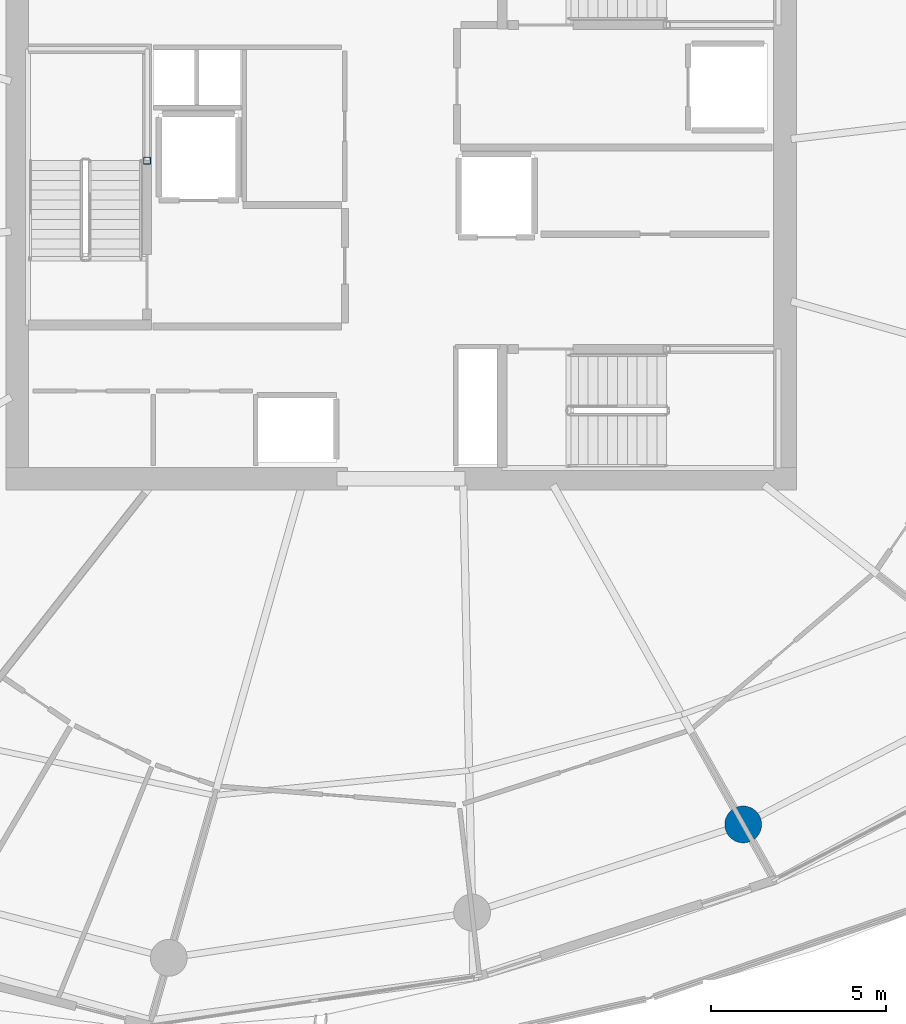
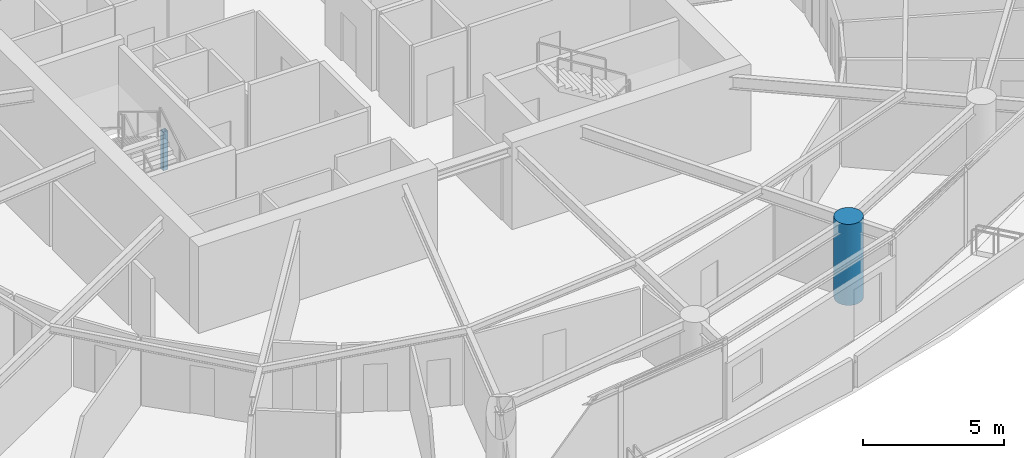
# One storey, part 2 of 20: 2 columns.
"""IFC4 building model written with IfcOpenShell, lengths in metres."""

from ifc_helpers import new_model, si_unit, direction, frame, origin, origin_2d, place, context, subcontext, project, spatial, hollow_rectangle, circle, extrude, material, material_profile, profile_set, type_object, element, save


model = new_model("IFC4")

# Units and contexts
model_context = context("Model", 3, precision=1e-05, world=origin(), true_north=direction((0.0, 1.0)))
body_context = subcontext(model_context, "Body", "Model", "MODEL_VIEW")
ifc_project = project(units=[si_unit("LENGTHUNIT", "METRE"), si_unit("AREAUNIT", "SQUARE_METRE"), si_unit("VOLUMEUNIT", "CUBIC_METRE"), si_unit("PLANEANGLEUNIT", "RADIAN"), si_unit("MASSUNIT", "GRAM", prefix="KILO")], contexts=[model_context])

# Site, building, storey
site_placement = place(None, origin())
site = spatial("IfcSite", under=ifc_project, at=site_placement, CompositionType="ELEMENT")
building_placement = place(site_placement, origin())
building = spatial("IfcBuilding", under=site, at=building_placement, Name="Kazma Halo Residences", CompositionType="ELEMENT")
storey_placement = place(building_placement, frame((0.0, 0.0, 217.800048828125)))
storey = spatial("IfcBuildingStorey", under=building, at=storey_placement, Name="L55", CompositionType="ELEMENT", Elevation=217.800048828125)

# Columns
ifc_material_1 = material(Name="Steel S355", Category="steel")
ifc_material_profile_1 = material_profile(ifc_material_1, hollow_rectangle(XDim=0.199951171875, YDim=0.199951171875, WallThickness=0.010009765625, InnerFilletRadius=0.010009765625, OuterFilletRadius=0.02001953125, at=origin_2d()), Name="SHS200x200x10")
ifc_profile_set_1 = profile_set([ifc_material_profile_1], Name="Steel S355")
column_type_1 = type_object("IfcColumnType", Name="COL-LP-SHS200", PredefinedType="COLUMN", material=ifc_profile_set_1)
column_1_placement = place(storey_placement, frame((41.179931640625, 42.75, 0.0), z_axis=(0.0, 0.0, 1.0), x_axis=(1.0, 0.0, 0.0)))
element("IfcColumn", 1, at=column_1_placement, inside=storey, type_object=column_type_1, Name="L55 ST-01 landing pilaster 1", PredefinedType="COLUMN", context=body_context, shape_type="SweptSolid", body=[
    extrude(hollow_rectangle(XDim=0.199951171875, YDim=0.199951171875, WallThickness=0.010009765625, InnerFilletRadius=0.010009765625, OuterFilletRadius=0.02001953125, at=origin_2d()), origin(), (0.0, 0.0, 1.0), 1.669921875),
])
ifc_material_2 = material(Name="Concrete C80/95", Category="concrete")
ifc_material_profile_2 = material_profile(ifc_material_2, circle(Radius=0.52490234375, at=origin_2d()), Name="CIRC1050")
ifc_profile_set_2 = profile_set([ifc_material_profile_2], Name="Concrete C80/95")
column_type_2 = type_object("IfcColumnType", Name="COL-PERIM-1050", PredefinedType="COLUMN", material=ifc_profile_set_2)
column_2_placement = place(storey_placement, frame((58.184814453125, 23.813720703125, 0.0), z_axis=(0.0, 0.0, 1.0), x_axis=(1.0, 0.0, 0.0)))
element("IfcColumn", 2, at=column_2_placement, inside=storey, type_object=column_type_2, Name="L55 perimeter ring column P13", PredefinedType="COLUMN", context=body_context, shape_type="SweptSolid", body=[
    extrude(circle(Radius=0.52490234375, at=origin_2d()), origin(), (0.0, 0.0, 1.0), 3.5),
])

save(model, "model.ifc")
